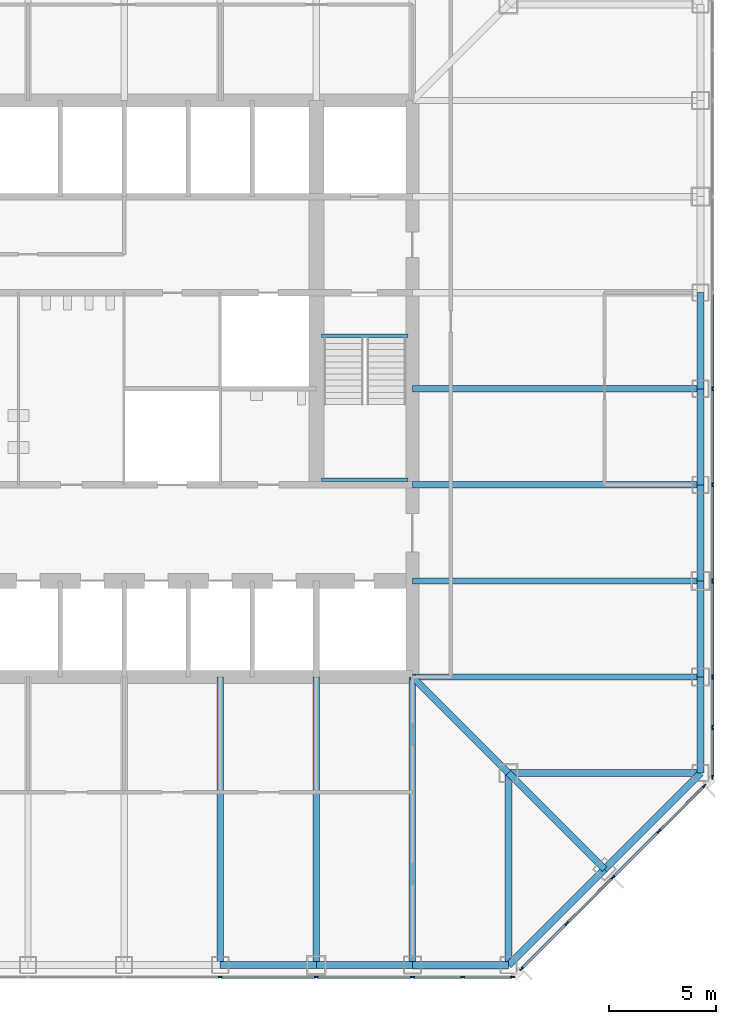
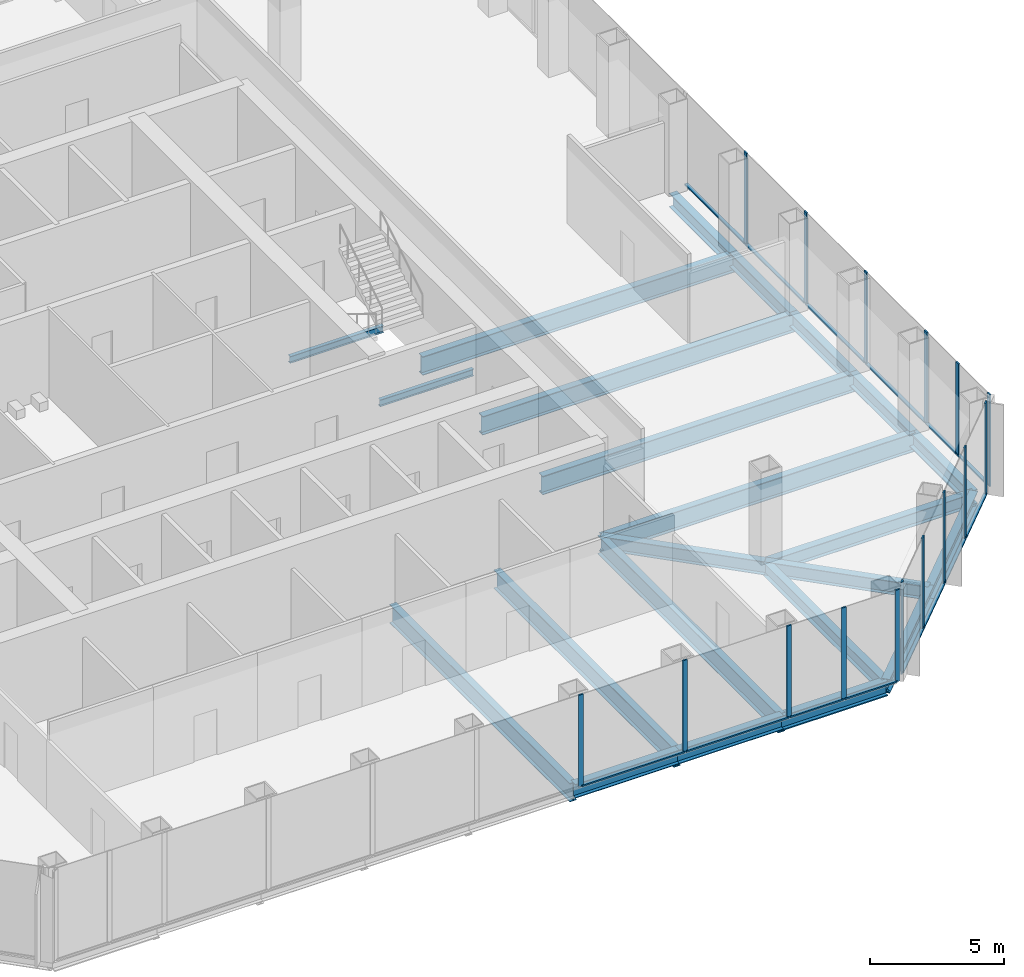
# One storey, part 4 of 12: 30 members, 23 beams, 3 elements without a shape of their own.
"""IFC4 building model written with IfcOpenShell, lengths in metres."""

from ifc_helpers import new_model, si_unit, direction, frame, origin, origin_2d, place, context, subcontext, project, spatial, rectangle, i_section, extrude, material, material_profile, profile_set, type_object, element, aggregate, save


model = new_model("IFC4")

# Units and contexts
model_context = context("Model", 3, precision=1e-05, world=origin(), true_north=direction((0.0, 1.0)))
body_context = subcontext(model_context, "Body", "Model", "MODEL_VIEW")
ifc_project = project(units=[si_unit("LENGTHUNIT", "METRE"), si_unit("AREAUNIT", "SQUARE_METRE"), si_unit("VOLUMEUNIT", "CUBIC_METRE"), si_unit("PLANEANGLEUNIT", "RADIAN"), si_unit("MASSUNIT", "GRAM", prefix="KILO")], contexts=[model_context])

# Site, building, storey
site_placement = place(None, origin())
site = spatial("IfcSite", under=ifc_project, at=site_placement, CompositionType="ELEMENT")
building_placement = place(site_placement, origin())
building = spatial("IfcBuilding", under=site, at=building_placement, Name="Corais Broadcast Tower", CompositionType="ELEMENT")
storey_placement = place(building_placement, frame((0.0, 0.0, 58.39990234375)))
storey = spatial("IfcBuildingStorey", under=building, at=storey_placement, Name="L12", CompositionType="ELEMENT", Elevation=58.39990234375)

# Beams
ifc_material_1 = material(Name="Steel ASTM A572 Grade 50", Category="steel")
ifc_material_profile_1 = material_profile(ifc_material_1, i_section(OverallWidth=0.323974609375, OverallDepth=0.611083984375, WebThickness=0.0126953125, FlangeThickness=0.01904296875, at=origin_2d()), Name="W610x155")
ifc_profile_set_1 = profile_set([ifc_material_profile_1], Name="Steel ASTM A572 Grade 50")
beam_type_1 = type_object("IfcBeamType", Name="Chamfer tie W610x155", PredefinedType="BEAM", material=ifc_profile_set_1)
beam_1_placement = place(storey_placement, frame((49.5, 4.5, -0.46533203125), z_axis=(-0.707106781187, 0.707106781187, 0.0), x_axis=(-0.707106781187, -0.707106781187, 0.0)))
element("IfcBeam", 1, at=beam_1_placement, inside=storey, type_object=beam_type_1, Name="B5 B/14 to C/13", PredefinedType="BEAM", context=body_context, shape_type="SweptSolid", body=[
    extrude(i_section(OverallWidth=0.323974609375, OverallDepth=0.611083984375, WebThickness=0.0126953125, FlangeThickness=0.01904296875, at=origin_2d()), origin(), (0.0, 0.0, 1.0), 6.364013671875),
])
ifc_material_2 = material(Name="Steel ASTM A572 Grade 50", Category="steel")
ifc_material_profile_2 = material_profile(ifc_material_2, i_section(OverallWidth=0.323974609375, OverallDepth=0.611083984375, WebThickness=0.0126953125, FlangeThickness=0.01904296875, at=origin_2d()), Name="W610x155")
ifc_profile_set_2 = profile_set([ifc_material_profile_2], Name="Steel ASTM A572 Grade 50")
beam_type_2 = type_object("IfcBeamType", Name="Corner diagonal W610x155", PredefinedType="BEAM", material=ifc_profile_set_2)
beam_2_placement = place(storey_placement, frame((45.0, 9.0, -0.46533203125), z_axis=(-0.707106781187, 0.707106781187, 0.0), x_axis=(-0.707106781187, -0.707106781187, 0.0)))
element("IfcBeam", 2, at=beam_2_placement, inside=storey, type_object=beam_type_2, Name="B6 C/13 to D/12", PredefinedType="BEAM", context=body_context, shape_type="SweptSolid", body=[
    extrude(i_section(OverallWidth=0.323974609375, OverallDepth=0.611083984375, WebThickness=0.0126953125, FlangeThickness=0.01904296875, at=origin_2d()), origin(), (0.0, 0.0, 1.0), 6.364013671875),
])
ifc_material_3 = material(Name="Steel ASTM A572 Grade 50", Category="steel")
ifc_material_profile_3 = material_profile(ifc_material_3, i_section(OverallWidth=0.323974609375, OverallDepth=0.611083984375, WebThickness=0.0126953125, FlangeThickness=0.01904296875, at=origin_2d()), Name="W610x155")
ifc_profile_set_3 = profile_set([ifc_material_profile_3], Name="Steel ASTM A572 Grade 50")
beam_type_3 = type_object("IfcBeamType", Name="Corner girder W610x155", PredefinedType="BEAM", material=ifc_profile_set_3)
for number, where, z_axis, x_axis, name in (
    (3, (45.0, 0.0, -0.46533203125), (0.0, 1.0, 0.0), (-1.0, 0.0, 0.0), "B4 A/13 to C/13"),
    (4, (54.0, 9.0, -0.46533203125), (-1.0, 0.0, 0.0), (0.0, -1.0, 0.0), "B4 C/15 to C/13"),
):
    element("IfcBeam", number, at=place(storey_placement, frame(where, z_axis=z_axis, x_axis=x_axis)), inside=storey, type_object=beam_type_3, Name=name, PredefinedType="BEAM", context=body_context, shape_type="SweptSolid", body=[
        extrude(i_section(OverallWidth=0.323974609375, OverallDepth=0.611083984375, WebThickness=0.0126953125, FlangeThickness=0.01904296875, at=origin_2d()), origin(), (0.0, 0.0, 1.0), 9.0),
    ])
ifc_material_4 = material(Name="Steel ASTM A572 Grade 50", Category="steel")
ifc_material_profile_4 = material_profile(ifc_material_4, i_section(OverallWidth=0.337890625, OverallDepth=0.677978515625, WebThickness=0.029541015625, FlangeThickness=0.052978515625, at=origin_2d()), Name="W610x415")
ifc_profile_set_4 = profile_set([ifc_material_profile_4], Name="Steel ASTM A572 Grade 50")
beam_type_4 = type_object("IfcBeamType", Name="Corner spandrel W610x415", PredefinedType="BEAM", material=ifc_profile_set_4)
for number, where, z_axis, x_axis, name in (
    (5, (40.5, 0.0, -0.4990234375), (1.0, 0.0, 0.0), (0.0, 1.0, 0.0), "SB10 A/12 to A/13"),
    (6, (54.0, 9.0, -0.4990234375), (0.0, 1.0, 0.0), (-1.0, 0.0, 0.0), "SB10 C/15 to D/15"),
):
    element("IfcBeam", number, at=place(storey_placement, frame(where, z_axis=z_axis, x_axis=x_axis)), inside=storey, type_object=beam_type_4, Name=name, PredefinedType="BEAM", context=body_context, shape_type="SweptSolid", body=[
        extrude(i_section(OverallWidth=0.337890625, OverallDepth=0.677978515625, WebThickness=0.029541015625, FlangeThickness=0.052978515625, at=origin_2d()), origin(), (0.0, 0.0, 1.0), 4.5),
    ])
ifc_material_5 = material(Name="Steel ASTM A572 Grade 50", Category="steel")
ifc_material_profile_5 = material_profile(ifc_material_5, i_section(OverallWidth=0.2939453125, OverallDepth=0.85107421875, WebThickness=0.01611328125, FlangeThickness=0.02685546875, at=origin_2d()), Name="W840x226")
ifc_profile_set_5 = profile_set([ifc_material_profile_5], Name="Steel ASTM A572 Grade 50")
beam_type_5 = type_object("IfcBeamType", Name="Floor beam W840x226", PredefinedType="BEAM", material=ifc_profile_set_5)
for number, where, z_axis, x_axis, name in (
    (7, (31.5, 0.0, -0.58544921875), (0.0, 1.0, 0.0), (-1.0, 0.0, 0.0), "B1 A/10 to D/10"),
    (8, (36.0, 0.0, -0.58544921875), (0.0, 1.0, 0.0), (-1.0, 0.0, 0.0), "B1 A/11 to D/11"),
    (9, (40.5, 0.0, -0.58544921875), (0.0, 1.0, 0.0), (-1.0, 0.0, 0.0), "B1 A/12 to D/12"),
    (10, (54.0, 13.5, -0.58544921875), (-1.0, 0.0, 0.0), (0.0, -1.0, 0.0), "B1 D/15 to D/12"),
    (11, (54.0, 18.0, -0.58544921875), (-1.0, 0.0, 0.0), (0.0, -1.0, 0.0), "B1 E/15 to E/12"),
    (12, (54.0, 22.5, -0.58544921875), (-1.0, 0.0, 0.0), (0.0, -1.0, 0.0), "B1 F/15 to F/12"),
    (13, (54.0, 27.0, -0.58544921875), (-1.0, 0.0, 0.0), (0.0, -1.0, 0.0), "B1 G/15 to G/12"),
):
    element("IfcBeam", number, at=place(storey_placement, frame(where, z_axis=z_axis, x_axis=x_axis)), inside=storey, type_object=beam_type_5, Name=name, PredefinedType="BEAM", context=body_context, shape_type="SweptSolid", body=[
        extrude(i_section(OverallWidth=0.2939453125, OverallDepth=0.85107421875, WebThickness=0.01611328125, FlangeThickness=0.02685546875, at=origin_2d()), origin(), (0.0, 0.0, 1.0), 13.5),
    ])
ifc_material_6 = material(Name="Steel ASTM A572 Grade 50", Category="steel")
ifc_material_profile_6 = material_profile(ifc_material_6, i_section(OverallWidth=0.1650390625, OverallDepth=0.31005859375, WebThickness=0.005859375, FlangeThickness=0.009765625, at=origin_2d()), Name="W310x38.7")
ifc_profile_set_6 = profile_set([ifc_material_profile_6], Name="Steel ASTM A572 Grade 50")
beam_type_6 = type_object("IfcBeamType", Name="Landing trimmer W310x38.7", PredefinedType="BEAM", material=ifc_profile_set_6)
for number, where, z_axis, x_axis, name in (
    (14, (36.25, 29.47509765625, -0.35498046875), (1.0, 0.0, 0.0), (0.0, 1.0, 0.0), "LT1 stair B landing trimmer L12"),
    (15, (36.25, 22.739990234375, 1.7451171875), (1.0, 0.0, 0.0), (0.0, 1.0, 0.0), "LT1 stair B half landing trimmer L12"),
):
    element("IfcBeam", number, at=place(storey_placement, frame(where, z_axis=z_axis, x_axis=x_axis)), inside=storey, type_object=beam_type_6, Name=name, PredefinedType="BEAM", context=body_context, shape_type="SweptSolid", body=[
        extrude(i_section(OverallWidth=0.1650390625, OverallDepth=0.31005859375, WebThickness=0.005859375, FlangeThickness=0.009765625, at=origin_2d()), origin(), (0.0, 0.0, 1.0), 4.050048828125),
    ])

# Curtain wall, members
ifc_material_7 = material(Name="Aluminium and glass", Category="aluminium")
curtain_wall_type = type_object("IfcCurtainWallType", Name="Unitised fritted curtain wall CW1", PredefinedType="NOTDEFINED", material=ifc_material_7)
curtain_wall_1_placement = place(storey_placement, origin())
curtain_wall_1 = element("IfcCurtainWall", 16, at=curtain_wall_1_placement, inside=storey, type_object=curtain_wall_type, Name="CW1 curtain wall L12 6", PredefinedType="NOTDEFINED")
ifc_material_8 = material(Name="Aluminium 6063-T6", Category="aluminium")
ifc_material_profile_7 = material_profile(ifc_material_8, rectangle(XDim=0.06494140625, YDim=0.199951171875, at=origin_2d()), Name="Mullion CW1 65x200")
ifc_profile_set_7 = profile_set([ifc_material_profile_7], Name="Aluminium 6063-T6")
member_type_1 = type_object("IfcMemberType", Name="Mullion CW1 65x200", PredefinedType="MULLION", material=ifc_profile_set_7)
member_1_placement = place(storey_placement, frame((54.550048828125, 27.0, 0.0), z_axis=(0.0, 0.0, 1.0), x_axis=(1.0, 0.0, 0.0)))
member_1 = element("IfcMember", 17, at=member_1_placement, type_object=member_type_1, Name="CW1 mullion 6", PredefinedType="MULLION", context=body_context, shape_type="SweptSolid", body=[
    extrude(rectangle(XDim=0.06494140625, YDim=0.199951171875, at=origin_2d()), origin(), (0.0, 0.0, 1.0), 4.2001953125),
])
member_2_placement = place(storey_placement, frame((54.550048828125, 22.5, 0.0), z_axis=(0.0, 0.0, 1.0), x_axis=(1.0, 0.0, 0.0)))
member_2 = element("IfcMember", 18, at=member_2_placement, type_object=member_type_1, Name="CW1 mullion 7", PredefinedType="MULLION", context=body_context, shape_type="SweptSolid", body=[
    extrude(rectangle(XDim=0.06494140625, YDim=0.199951171875, at=origin_2d()), origin(), (0.0, 0.0, 1.0), 4.2001953125),
])
member_3_placement = place(storey_placement, frame((54.550048828125, 18.0, 0.0), z_axis=(0.0, 0.0, 1.0), x_axis=(1.0, 0.0, 0.0)))
member_3 = element("IfcMember", 19, at=member_3_placement, type_object=member_type_1, Name="CW1 mullion 8", PredefinedType="MULLION", context=body_context, shape_type="SweptSolid", body=[
    extrude(rectangle(XDim=0.06494140625, YDim=0.199951171875, at=origin_2d()), origin(), (0.0, 0.0, 1.0), 4.2001953125),
])
member_4_placement = place(storey_placement, frame((54.550048828125, 13.5, 0.0), z_axis=(0.0, 0.0, 1.0), x_axis=(1.0, 0.0, 0.0)))
member_4 = element("IfcMember", 20, at=member_4_placement, type_object=member_type_1, Name="CW1 mullion 9", PredefinedType="MULLION", context=body_context, shape_type="SweptSolid", body=[
    extrude(rectangle(XDim=0.06494140625, YDim=0.199951171875, at=origin_2d()), origin(), (0.0, 0.0, 1.0), 4.2001953125),
])
member_5_placement = place(storey_placement, frame((54.550048828125, 11.135986328125, 0.0), z_axis=(0.0, 0.0, 1.0), x_axis=(1.0, 0.0, 0.0)))
member_5 = element("IfcMember", 21, at=member_5_placement, type_object=member_type_1, Name="CW1 mullion 10", PredefinedType="MULLION", context=body_context, shape_type="SweptSolid", body=[
    extrude(rectangle(XDim=0.06494140625, YDim=0.199951171875, at=origin_2d()), origin(), (0.0, 0.0, 1.0), 4.2001953125),
])
member_6_placement = place(storey_placement, frame((54.550048828125, 8.8046875, 0.0), z_axis=(0.0, 0.0, 1.0), x_axis=(1.0, 0.0, 0.0)))
member_6 = element("IfcMember", 22, at=member_6_placement, type_object=member_type_1, Name="CW1 mullion 11", PredefinedType="MULLION", context=body_context, shape_type="SweptSolid", body=[
    extrude(rectangle(XDim=0.06494140625, YDim=0.199951171875, at=origin_2d()), origin(), (0.0, 0.0, 1.0), 4.2001953125),
])

curtain_wall_2_placement = place(storey_placement, origin())
curtain_wall_2 = element("IfcCurtainWall", 23, at=curtain_wall_2_placement, inside=storey, type_object=curtain_wall_type, Name="CW1 curtain wall L12 7", PredefinedType="NOTDEFINED")
member_7_placement = place(storey_placement, frame((54.17333984375, 8.3955078125, 0.0), z_axis=(0.0, 0.0, 1.0), x_axis=(0.707106781187, -0.707106781187, 0.0)))
member_7 = element("IfcMember", 24, at=member_7_placement, type_object=member_type_1, Name="CW1 mullion 1", PredefinedType="MULLION", context=body_context, shape_type="SweptSolid", body=[
    extrude(rectangle(XDim=0.06494140625, YDim=0.199951171875, at=origin_2d()), origin(), (0.0, 0.0, 1.0), 4.2001953125),
])
member_8_placement = place(storey_placement, frame((52.042724609375, 6.264892578125, 0.0), z_axis=(0.0, 0.0, 1.0), x_axis=(0.707106781187, -0.707106781187, 0.0)))
member_8 = element("IfcMember", 25, at=member_8_placement, type_object=member_type_1, Name="CW1 mullion 2", PredefinedType="MULLION", context=body_context, shape_type="SweptSolid", body=[
    extrude(rectangle(XDim=0.06494140625, YDim=0.199951171875, at=origin_2d()), origin(), (0.0, 0.0, 1.0), 4.2001953125),
])
member_9_placement = place(storey_placement, frame((49.888916015625, 4.111083984375, 0.0), z_axis=(0.0, 0.0, 1.0), x_axis=(0.707106781187, -0.707106781187, 0.0)))
member_9 = element("IfcMember", 26, at=member_9_placement, type_object=member_type_1, Name="CW1 mullion 3", PredefinedType="MULLION", context=body_context, shape_type="SweptSolid", body=[
    extrude(rectangle(XDim=0.06494140625, YDim=0.199951171875, at=origin_2d()), origin(), (0.0, 0.0, 1.0), 4.2001953125),
])
member_10_placement = place(storey_placement, frame((47.735107421875, 1.957275390625, 0.0), z_axis=(0.0, 0.0, 1.0), x_axis=(0.707106781187, -0.707106781187, 0.0)))
member_10 = element("IfcMember", 27, at=member_10_placement, type_object=member_type_1, Name="CW1 mullion 4", PredefinedType="MULLION", context=body_context, shape_type="SweptSolid", body=[
    extrude(rectangle(XDim=0.06494140625, YDim=0.199951171875, at=origin_2d()), origin(), (0.0, 0.0, 1.0), 4.2001953125),
])
member_11_placement = place(storey_placement, frame((45.6044921875, -0.17333984375, 0.0), z_axis=(0.0, 0.0, 1.0), x_axis=(0.707106781187, -0.707106781187, 0.0)))
member_11 = element("IfcMember", 28, at=member_11_placement, type_object=member_type_1, Name="CW1 mullion 5", PredefinedType="MULLION", context=body_context, shape_type="SweptSolid", body=[
    extrude(rectangle(XDim=0.06494140625, YDim=0.199951171875, at=origin_2d()), origin(), (0.0, 0.0, 1.0), 4.2001953125),
])

curtain_wall_3_placement = place(storey_placement, origin())
curtain_wall_3 = element("IfcCurtainWall", 29, at=curtain_wall_3_placement, inside=storey, type_object=curtain_wall_type, Name="CW1 curtain wall L12 8", PredefinedType="NOTDEFINED")
member_12_placement = place(storey_placement, frame((45.1953125, -0.550048828125, 0.0), z_axis=(0.0, 0.0, 1.0), x_axis=(0.0, -1.0, 0.0)))
member_12 = element("IfcMember", 30, at=member_12_placement, type_object=member_type_1, Name="CW1 mullion 1", PredefinedType="MULLION", context=body_context, shape_type="SweptSolid", body=[
    extrude(rectangle(XDim=0.06494140625, YDim=0.199951171875, at=origin_2d()), origin(), (0.0, 0.0, 1.0), 4.2001953125),
])
member_13_placement = place(storey_placement, frame((42.864013671875, -0.550048828125, 0.0), z_axis=(0.0, 0.0, 1.0), x_axis=(0.0, -1.0, 0.0)))
member_13 = element("IfcMember", 31, at=member_13_placement, type_object=member_type_1, Name="CW1 mullion 2", PredefinedType="MULLION", context=body_context, shape_type="SweptSolid", body=[
    extrude(rectangle(XDim=0.06494140625, YDim=0.199951171875, at=origin_2d()), origin(), (0.0, 0.0, 1.0), 4.2001953125),
])
member_14_placement = place(storey_placement, frame((40.5, -0.550048828125, 0.0), z_axis=(0.0, 0.0, 1.0), x_axis=(0.0, -1.0, 0.0)))
member_14 = element("IfcMember", 32, at=member_14_placement, type_object=member_type_1, Name="CW1 mullion 3", PredefinedType="MULLION", context=body_context, shape_type="SweptSolid", body=[
    extrude(rectangle(XDim=0.06494140625, YDim=0.199951171875, at=origin_2d()), origin(), (0.0, 0.0, 1.0), 4.2001953125),
])
member_15_placement = place(storey_placement, frame((36.0, -0.550048828125, 0.0), z_axis=(0.0, 0.0, 1.0), x_axis=(0.0, -1.0, 0.0)))
member_15 = element("IfcMember", 33, at=member_15_placement, type_object=member_type_1, Name="CW1 mullion 4", PredefinedType="MULLION", context=body_context, shape_type="SweptSolid", body=[
    extrude(rectangle(XDim=0.06494140625, YDim=0.199951171875, at=origin_2d()), origin(), (0.0, 0.0, 1.0), 4.2001953125),
])
member_16_placement = place(storey_placement, frame((31.5, -0.550048828125, 0.0), z_axis=(0.0, 0.0, 1.0), x_axis=(0.0, -1.0, 0.0)))
member_16 = element("IfcMember", 34, at=member_16_placement, type_object=member_type_1, Name="CW1 mullion 5", PredefinedType="MULLION", context=body_context, shape_type="SweptSolid", body=[
    extrude(rectangle(XDim=0.06494140625, YDim=0.199951171875, at=origin_2d()), origin(), (0.0, 0.0, 1.0), 4.2001953125),
])

# Beams
ifc_material_9 = material(Name="Steel ASTM A572 Grade 50", Category="steel")
ifc_material_profile_8 = material_profile(ifc_material_9, i_section(OverallWidth=0.3291015625, OverallDepth=0.635009765625, WebThickness=0.017822265625, FlangeThickness=0.031005859375, at=origin_2d()), Name="W610x241")
ifc_profile_set_8 = profile_set([ifc_material_profile_8], Name="Steel ASTM A572 Grade 50")
beam_type_7 = type_object("IfcBeamType", Name="Spandrel W610x241", PredefinedType="BEAM", material=ifc_profile_set_8)
for number, where, z_axis, x_axis, name in (
    (35, (31.5, 0.0, -0.477294921875), (1.0, 0.0, 0.0), (0.0, 1.0, 0.0), "SB1 A/10 to A/11"),
    (36, (36.0, 0.0, -0.477294921875), (1.0, 0.0, 0.0), (0.0, 1.0, 0.0), "SB1 A/11 to A/12"),
):
    element("IfcBeam", number, at=place(storey_placement, frame(where, z_axis=z_axis, x_axis=x_axis)), inside=storey, type_object=beam_type_7, Name=name, PredefinedType="BEAM", context=body_context, shape_type="SweptSolid", body=[
        extrude(i_section(OverallWidth=0.3291015625, OverallDepth=0.635009765625, WebThickness=0.017822265625, FlangeThickness=0.031005859375, at=origin_2d()), origin(), (0.0, 0.0, 1.0), 4.5),
    ])
for number, where, z_axis, x_axis, name in (
    (37, (45.0, 0.0, -0.477294921875), (0.707106781187, 0.707106781187, 0.0), (-0.707106781187, 0.707106781187, 0.0), "SB1 A/13 to B/14"),
    (38, (49.5, 4.5, -0.477294921875), (0.707106781187, 0.707106781187, 0.0), (-0.707106781187, 0.707106781187, 0.0), "SB1 B/14 to C/15"),
):
    element("IfcBeam", number, at=place(storey_placement, frame(where, z_axis=z_axis, x_axis=x_axis)), inside=storey, type_object=beam_type_7, Name=name, PredefinedType="BEAM", context=body_context, shape_type="SweptSolid", body=[
        extrude(i_section(OverallWidth=0.3291015625, OverallDepth=0.635009765625, WebThickness=0.017822265625, FlangeThickness=0.031005859375, at=origin_2d()), origin(), (0.0, 0.0, 1.0), 6.364013671875),
    ])
for number, where, z_axis, x_axis, name in (
    (39, (54.0, 13.5, -0.477294921875), (0.0, 1.0, 0.0), (-1.0, 0.0, 0.0), "SB1 D/15 to E/15"),
    (40, (54.0, 18.0, -0.477294921875), (0.0, 1.0, 0.0), (-1.0, 0.0, 0.0), "SB1 E/15 to F/15"),
    (41, (54.0, 22.5, -0.477294921875), (0.0, 1.0, 0.0), (-1.0, 0.0, 0.0), "SB1 F/15 to G/15"),
    (42, (54.0, 27.0, -0.477294921875), (0.0, 1.0, 0.0), (-1.0, 0.0, 0.0), "SB1 G/15 to H/15"),
):
    element("IfcBeam", number, at=place(storey_placement, frame(where, z_axis=z_axis, x_axis=x_axis)), inside=storey, type_object=beam_type_7, Name=name, PredefinedType="BEAM", context=body_context, shape_type="SweptSolid", body=[
        extrude(i_section(OverallWidth=0.3291015625, OverallDepth=0.635009765625, WebThickness=0.017822265625, FlangeThickness=0.031005859375, at=origin_2d()), origin(), (0.0, 0.0, 1.0), 4.5),
    ])

# Member
ifc_material_10 = material(Name="Aluminium 6063-T6", Category="aluminium")
ifc_material_profile_9 = material_profile(ifc_material_10, rectangle(XDim=0.139892578125, YDim=0.06494140625, at=origin_2d()), Name="Transom CW1 65x140")
ifc_profile_set_9 = profile_set([ifc_material_profile_9], Name="Aluminium 6063-T6")
member_type_2 = type_object("IfcMemberType", Name="Transom CW1 65x140", PredefinedType="USERDEFINED", material=ifc_profile_set_9)
member_17_placement = place(storey_placement, frame((54.550048828125, 31.467529296875, 0.03271484375), z_axis=(0.0, -1.0, 0.0), x_axis=(1.0, 0.0, 0.0)))
member_17 = element("IfcMember", 43, at=member_17_placement, type_object=member_type_2, Name="CW1 transom 5.1", ObjectType="TRANSOM", PredefinedType="USERDEFINED", context=body_context, shape_type="SweptSolid", body=[
    extrude(rectangle(XDim=0.139892578125, YDim=0.06494140625, at=origin_2d()), origin(), (0.0, 0.0, 1.0), 4.43505859375),
])

member_18_placement = place(storey_placement, frame((54.550048828125, 26.967529296875, 0.03271484375), z_axis=(0.0, -1.0, 0.0), x_axis=(1.0, 0.0, 0.0)))
member_18 = element("IfcMember", 44, at=member_18_placement, type_object=member_type_2, Name="CW1 transom 6.1", ObjectType="TRANSOM", PredefinedType="USERDEFINED", context=body_context, shape_type="SweptSolid", body=[
    extrude(rectangle(XDim=0.139892578125, YDim=0.06494140625, at=origin_2d()), origin(), (0.0, 0.0, 1.0), 4.43505859375),
])

member_19_placement = place(storey_placement, frame((54.550048828125, 22.467529296875, 0.03271484375), z_axis=(0.0, -1.0, 0.0), x_axis=(1.0, 0.0, 0.0)))
member_19 = element("IfcMember", 45, at=member_19_placement, type_object=member_type_2, Name="CW1 transom 7.1", ObjectType="TRANSOM", PredefinedType="USERDEFINED", context=body_context, shape_type="SweptSolid", body=[
    extrude(rectangle(XDim=0.139892578125, YDim=0.06494140625, at=origin_2d()), origin(), (0.0, 0.0, 1.0), 4.43505859375),
])

member_20_placement = place(storey_placement, frame((54.550048828125, 17.967529296875, 0.03271484375), z_axis=(0.0, -1.0, 0.0), x_axis=(1.0, 0.0, 0.0)))
member_20 = element("IfcMember", 46, at=member_20_placement, type_object=member_type_2, Name="CW1 transom 8.1", ObjectType="TRANSOM", PredefinedType="USERDEFINED", context=body_context, shape_type="SweptSolid", body=[
    extrude(rectangle(XDim=0.139892578125, YDim=0.06494140625, at=origin_2d()), origin(), (0.0, 0.0, 1.0), 4.43505859375),
])

member_21_placement = place(storey_placement, frame((54.550048828125, 13.467529296875, 0.03271484375), z_axis=(0.0, -1.0, 0.0), x_axis=(1.0, 0.0, 0.0)))
member_21 = element("IfcMember", 47, at=member_21_placement, type_object=member_type_2, Name="CW1 transom 9.1", ObjectType="TRANSOM", PredefinedType="USERDEFINED", context=body_context, shape_type="SweptSolid", body=[
    extrude(rectangle(XDim=0.139892578125, YDim=0.06494140625, at=origin_2d()), origin(), (0.0, 0.0, 1.0), 2.298828125),
])

member_22_placement = place(storey_placement, frame((54.550048828125, 11.103515625, 0.03271484375), z_axis=(0.0, -1.0, 0.0), x_axis=(1.0, 0.0, 0.0)))
member_22 = element("IfcMember", 48, at=member_22_placement, type_object=member_type_2, Name="CW1 transom 10.1", ObjectType="TRANSOM", PredefinedType="USERDEFINED", context=body_context, shape_type="SweptSolid", body=[
    extrude(rectangle(XDim=0.139892578125, YDim=0.06494140625, at=origin_2d()), origin(), (0.0, 0.0, 1.0), 2.266357421875),
])

aggregate(curtain_wall_1, [member_1, member_2, member_3, member_4, member_5, member_6, member_17, member_18, member_19, member_20, member_21, member_22])

member_23_placement = place(storey_placement, frame((54.150390625, 8.37255859375, 0.03271484375), z_axis=(-0.707106781187, -0.707106781187, 0.0), x_axis=(0.707106781187, -0.707106781187, 0.0)))
member_23 = element("IfcMember", 49, at=member_23_placement, type_object=member_type_2, Name="CW1 transom 1.1", ObjectType="TRANSOM", PredefinedType="USERDEFINED", context=body_context, shape_type="SweptSolid", body=[
    extrude(rectangle(XDim=0.139892578125, YDim=0.06494140625, at=origin_2d()), origin(), (0.0, 0.0, 1.0), 2.9482421875),
])

member_24_placement = place(storey_placement, frame((52.019775390625, 6.241943359375, 0.03271484375), z_axis=(-0.707106781187, -0.707106781187, 0.0), x_axis=(0.707106781187, -0.707106781187, 0.0)))
member_24 = element("IfcMember", 50, at=member_24_placement, type_object=member_type_2, Name="CW1 transom 2.1", ObjectType="TRANSOM", PredefinedType="USERDEFINED", context=body_context, shape_type="SweptSolid", body=[
    extrude(rectangle(XDim=0.139892578125, YDim=0.06494140625, at=origin_2d()), origin(), (0.0, 0.0, 1.0), 2.98095703125),
])

member_25_placement = place(storey_placement, frame((49.865966796875, 4.088134765625, 0.03271484375), z_axis=(-0.707106781187, -0.707106781187, 0.0), x_axis=(0.707106781187, -0.707106781187, 0.0)))
member_25 = element("IfcMember", 51, at=member_25_placement, type_object=member_type_2, Name="CW1 transom 3.1", ObjectType="TRANSOM", PredefinedType="USERDEFINED", context=body_context, shape_type="SweptSolid", body=[
    extrude(rectangle(XDim=0.139892578125, YDim=0.06494140625, at=origin_2d()), origin(), (0.0, 0.0, 1.0), 2.98095703125),
])

member_26_placement = place(storey_placement, frame((47.712158203125, 1.934326171875, 0.03271484375), z_axis=(-0.707106781187, -0.707106781187, 0.0), x_axis=(0.707106781187, -0.707106781187, 0.0)))
member_26 = element("IfcMember", 52, at=member_26_placement, type_object=member_type_2, Name="CW1 transom 4.1", ObjectType="TRANSOM", PredefinedType="USERDEFINED", context=body_context, shape_type="SweptSolid", body=[
    extrude(rectangle(XDim=0.139892578125, YDim=0.06494140625, at=origin_2d()), origin(), (0.0, 0.0, 1.0), 2.9482421875),
])

aggregate(curtain_wall_2, [member_7, member_8, member_9, member_10, member_11, member_23, member_24, member_25, member_26])

member_27_placement = place(storey_placement, frame((45.162841796875, -0.550048828125, 0.03271484375), z_axis=(-1.0, 0.0, 0.0), x_axis=(0.0, -1.0, 0.0)))
member_27 = element("IfcMember", 53, at=member_27_placement, type_object=member_type_2, Name="CW1 transom 1.1", ObjectType="TRANSOM", PredefinedType="USERDEFINED", context=body_context, shape_type="SweptSolid", body=[
    extrude(rectangle(XDim=0.139892578125, YDim=0.06494140625, at=origin_2d()), origin(), (0.0, 0.0, 1.0), 2.266357421875),
])

member_28_placement = place(storey_placement, frame((42.831298828125, -0.550048828125, 0.03271484375), z_axis=(-1.0, 0.0, 0.0), x_axis=(0.0, -1.0, 0.0)))
member_28 = element("IfcMember", 54, at=member_28_placement, type_object=member_type_2, Name="CW1 transom 2.1", ObjectType="TRANSOM", PredefinedType="USERDEFINED", context=body_context, shape_type="SweptSolid", body=[
    extrude(rectangle(XDim=0.139892578125, YDim=0.06494140625, at=origin_2d()), origin(), (0.0, 0.0, 1.0), 2.298828125),
])

member_29_placement = place(storey_placement, frame((40.467529296875, -0.550048828125, 0.03271484375), z_axis=(-1.0, 0.0, 0.0), x_axis=(0.0, -1.0, 0.0)))
member_29 = element("IfcMember", 55, at=member_29_placement, type_object=member_type_2, Name="CW1 transom 3.1", ObjectType="TRANSOM", PredefinedType="USERDEFINED", context=body_context, shape_type="SweptSolid", body=[
    extrude(rectangle(XDim=0.139892578125, YDim=0.06494140625, at=origin_2d()), origin(), (0.0, 0.0, 1.0), 4.43505859375),
])

member_30_placement = place(storey_placement, frame((35.967529296875, -0.550048828125, 0.03271484375), z_axis=(-1.0, 0.0, 0.0), x_axis=(0.0, -1.0, 0.0)))
member_30 = element("IfcMember", 56, at=member_30_placement, type_object=member_type_2, Name="CW1 transom 4.1", ObjectType="TRANSOM", PredefinedType="USERDEFINED", context=body_context, shape_type="SweptSolid", body=[
    extrude(rectangle(XDim=0.139892578125, YDim=0.06494140625, at=origin_2d()), origin(), (0.0, 0.0, 1.0), 4.43505859375),
])

aggregate(curtain_wall_3, [member_12, member_13, member_14, member_15, member_16, member_27, member_28, member_29, member_30])

save(model, "model.ifc")
